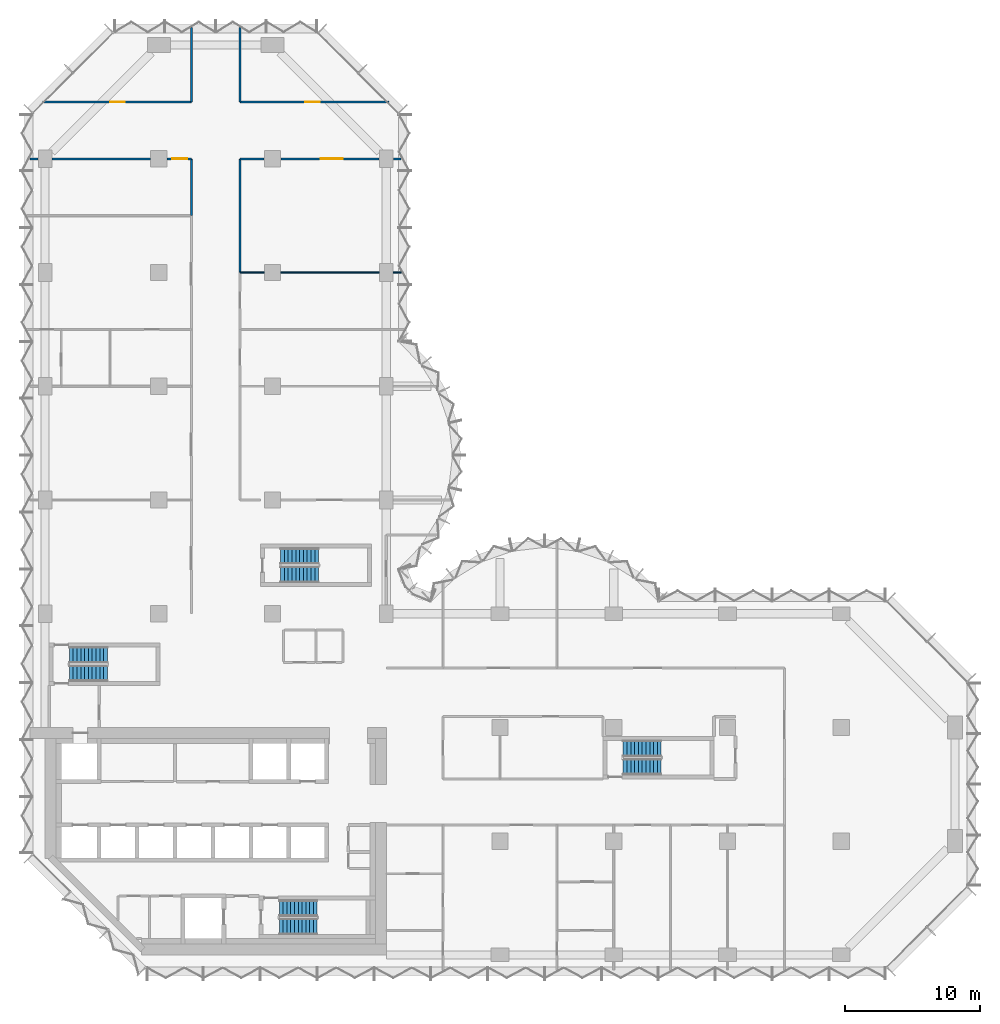
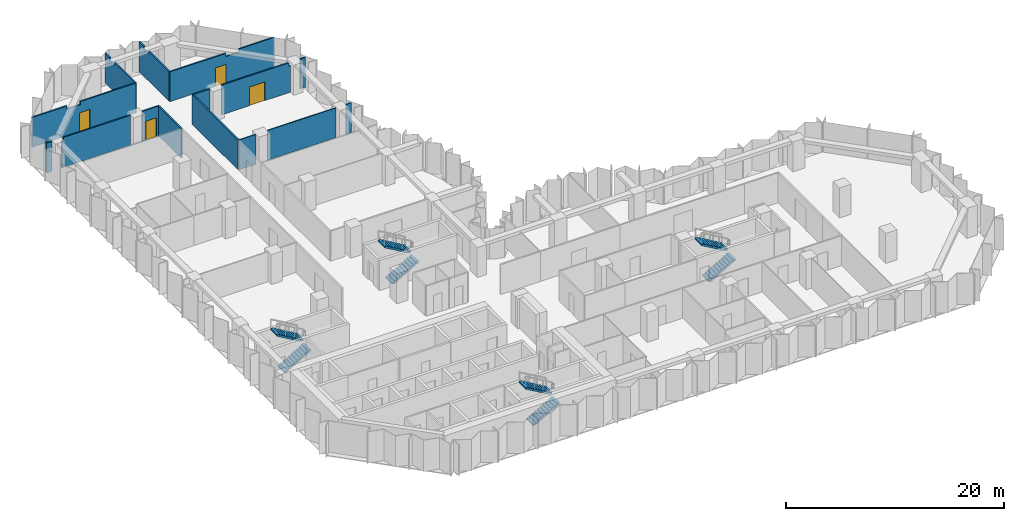
# One storey, part 11 of 13: 15 walls, 8 stair flights, 4 doors, 4 openings, 4 elements without a shape of their own.
"""IFC4 building model written with IfcOpenShell, lengths in metres."""

from ifc_helpers import new_model, si_unit, direction, frame, frame_2d, origin, place, context, subcontext, project, spatial, polyline, rectangle, outline, extrude, material, layer, layer_set, type_object, element, fill, aggregate, save


model = new_model("IFC4")

# Units and contexts
model_context = context("Model", 3, precision=1e-05, world=origin(), true_north=direction((0.0, 1.0)))
body_context = subcontext(model_context, "Body", "Model", "MODEL_VIEW")
ifc_project = project(units=[si_unit("LENGTHUNIT", "METRE"), si_unit("AREAUNIT", "SQUARE_METRE"), si_unit("VOLUMEUNIT", "CUBIC_METRE"), si_unit("PLANEANGLEUNIT", "RADIAN"), si_unit("MASSUNIT", "GRAM", prefix="KILO")], contexts=[model_context])

# Site, building, storey
site_placement = place(None, origin())
site = spatial("IfcSite", under=ifc_project, at=site_placement, CompositionType="ELEMENT")
building_placement = place(site_placement, origin())
building = spatial("IfcBuilding", under=site, at=building_placement, Name="Brevane Broadcast Tower", CompositionType="ELEMENT")
storey_placement = place(building_placement, frame((0.0, 0.0, 106.10009765625)))
storey = spatial("IfcBuildingStorey", under=building, at=storey_placement, Name="L25", CompositionType="ELEMENT", Elevation=106.10009765625)

# Walls
ifc_material_1 = material(Name="Gypsum board partition")
ifc_layer_1 = layer(ifc_material_1, 0.10009765625)
ifc_layer_set_1 = layer_set([ifc_layer_1], Name="PARTITION 100 STUD")
wall_type_1 = type_object("IfcWallType", Name="PARTITION 100 STUD", PredefinedType="PARTITIONING", material=ifc_layer_set_1)
wall_1_placement = place(storey_placement, frame((14.39990234375, 50.39990234375, 0.0), z_axis=(0.0, 0.0, 1.0), x_axis=(1.0, 0.0, 0.0)))
element("IfcWall", 1, at=wall_1_placement, inside=storey, type_object=wall_type_1, Name="Partition G07-088", PredefinedType="PARTITIONING", context=body_context, shape_type="SweptSolid", body=[
    extrude(rectangle(XDim=1.780029296875, YDim=0.10009765625, at=frame_2d((0.89013671875, 0.0))), origin(), (0.0, 0.0, 1.0), 3.329833984375),
])
wall_2_placement = place(storey_placement, frame((17.419921875, 50.39990234375, 0.0), z_axis=(0.0, 0.0, 1.0), x_axis=(1.0, 0.0, 0.0)))
element("IfcWall", 2, at=wall_2_placement, inside=storey, type_object=wall_type_1, Name="Partition G07-089", PredefinedType="PARTITIONING", context=body_context, shape_type="SweptSolid", body=[
    extrude(rectangle(XDim=7.260009765625, YDim=0.10009765625, at=frame_2d((3.6298828125, 0.0))), origin(), (0.0, 0.0, 1.0), 3.329833984375),
])
wall_3_placement = place(storey_placement, frame((25.719970703125, 50.39990234375, 0.0), z_axis=(0.0, 0.0, 1.0), x_axis=(1.0, 0.0, 0.0)))
element("IfcWall", 3, at=wall_3_placement, inside=storey, type_object=wall_type_1, Name="Partition G07-090", PredefinedType="PARTITIONING", context=body_context, shape_type="SweptSolid", body=[
    extrude(rectangle(XDim=0.580078125, YDim=0.10009765625, at=frame_2d((0.2900390625, 0.0))), origin(), (0.0, 0.0, 1.0), 3.329833984375),
])
ifc_layer_2 = layer(ifc_material_1, 0.14990234375)
ifc_layer_set_2 = layer_set([ifc_layer_2], Name="PARTITION 150 EI 60")
wall_type_2 = type_object("IfcWallType", Name="PARTITION 150 EI 60", PredefinedType="PARTITIONING", material=ifc_layer_set_2)
wall_4_placement = place(storey_placement, frame((10.800048828125, 54.60009765625, 0.0), z_axis=(0.0, 0.0, 1.0), x_axis=(0.0, 1.0, 0.0)))
element("IfcWall", 4, at=wall_4_placement, inside=storey, type_object=wall_type_2, Name="Partition G07-055", PredefinedType="PARTITIONING", context=body_context, shape_type="SweptSolid", body=[
    extrude(rectangle(XDim=4.199951171875, YDim=0.14990234375, at=frame_2d((2.10009765625, 0.0))), origin(), (0.0, 0.0, 1.0), 3.329833984375),
])
wall_5_placement = place(storey_placement, frame((10.800048828125, 63.0, 0.0), z_axis=(0.0, 0.0, 1.0), x_axis=(0.0, 1.0, 0.0)))
element("IfcWall", 5, at=wall_5_placement, inside=storey, type_object=wall_type_2, Name="Partition G07-056", PredefinedType="PARTITIONING", context=body_context, shape_type="SweptSolid", body=[
    extrude(outline(polyline([(0.0, 0.0), (5.514404296875, 0.0), (5.514404296875, 3.329833984375), (5.280029296875, 3.329833984375), (4.64990234375, 3.329833984375), (4.64794921875, 2.97998046875), (3.751953125, 2.97998046875), (3.75, 3.329833984375), (0.0, 3.329833984375), (0.0, 0.0)])), frame((0.0, 0.074951171875, 0.0), z_axis=(0.0, -1.0, 0.0), x_axis=(1.0, 0.0, 0.0)), (0.0, 0.0, 1.0), 0.14990234375),
])
wall_6_placement = place(storey_placement, frame((14.39990234375, 58.800048828125, 0.0), z_axis=(0.0, 0.0, 1.0), x_axis=(0.0, -1.0, 0.0)))
element("IfcWall", 6, at=wall_6_placement, inside=storey, type_object=wall_type_2, Name="Partition G07-060", PredefinedType="PARTITIONING", context=body_context, shape_type="SweptSolid", body=[
    extrude(rectangle(XDim=8.400146484375, YDim=0.14990234375, at=frame_2d((4.2001953125, 0.0))), origin(), (0.0, 0.0, 1.0), 3.329833984375),
])
wall_7_placement = place(storey_placement, frame((14.39990234375, 68.514404296875, 0.0), z_axis=(0.0, 0.0, 1.0), x_axis=(0.0, -1.0, 0.0)))
element("IfcWall", 7, at=wall_7_placement, inside=storey, type_object=wall_type_2, Name="Partition G07-061", PredefinedType="PARTITIONING", context=body_context, shape_type="SweptSolid", body=[
    extrude(outline(polyline([(0.0, 0.0), (5.514404296875, 0.0), (5.514404296875, 3.329833984375), (1.764404296875, 3.329833984375), (1.76220703125, 2.97998046875), (0.8662109375, 2.97998046875), (0.8642578125, 3.329833984375), (0.234375, 3.329833984375), (0.0, 3.329833984375), (0.0, 0.0)])), frame((0.0, 0.074951171875, 0.0), z_axis=(0.0, -1.0, 0.0), x_axis=(1.0, 0.0, 0.0)), (0.0, 0.0, 1.0), 0.14990234375),
])

# Wall, opening, door
wall_8_placement = place(storey_placement, frame((10.800048828125, 58.800048828125, 0.0), z_axis=(0.0, 0.0, 1.0), x_axis=(-1.0, 0.0, 0.0)))
wall_8 = element("IfcWall", 8, at=wall_8_placement, inside=storey, type_object=wall_type_2, Name="Partition G07-062", PredefinedType="PARTITIONING", context=body_context, shape_type="SweptSolid", body=[
    extrude(rectangle(XDim=1.780029296875, YDim=0.14990234375, at=frame_2d((0.89013671875, 0.0))), origin(), (0.0, 0.0, 1.0), 3.329833984375),
])
opening_1_placement = place(wall_8_placement, frame((0.300048828125, 0.0, 0.0)))
opening_1 = element("IfcOpeningElement", 9, at=opening_1_placement, cuts=wall_8, Name="Opening D14-024", PredefinedType="OPENING", context=body_context, shape_type="SweptSolid", body=[
    extrude(rectangle(XDim=1.10009765625, YDim=2.10009765625, at=frame_2d((0.550048828125, 1.050048828125))), frame((0.0, 0.0849609375, 0.0), z_axis=(0.0, -1.0, 0.0), x_axis=(1.0, 0.0, 0.0)), (0.0, 0.0, 1.0), 0.169921875),
])
ifc_material_2 = material(Name="Fire-rated timber door leaf", Category="wood")
door_type_1 = type_object("IfcDoorType", Name="DOOR SINGLE 1100 FD30S", OperationType="SINGLE_SWING_LEFT", PredefinedType="DOOR", material=ifc_material_2)
door_1_placement = place(opening_1_placement, origin())
door_1 = element("IfcDoor", 10, at=door_1_placement, inside=storey, type_object=door_type_1, Name="Door D14-024", OperationType="SINGLE_SWING_LEFT", OverallHeight=2.10009765625, OverallWidth=1.10009765625, PredefinedType="DOOR", context=body_context, shape_type="SweptSolid", body=[
    extrude(rectangle(XDim=1.10009765625, YDim=2.10009765625, at=frame_2d((0.550048828125, 1.050048828125))), frame((0.0, 0.02490234375, 0.0), z_axis=(0.0, -1.0, 0.0), x_axis=(1.0, 0.0, 0.0)), (0.0, 0.0, 1.0), 0.050048828125),
])
fill(opening_1, door_1)

# Walls
wall_9_placement = place(storey_placement, frame((7.780029296875, 58.800048828125, 0.0), z_axis=(0.0, 0.0, 1.0), x_axis=(-1.0, 0.0, 0.0)))
element("IfcWall", 11, at=wall_9_placement, inside=storey, type_object=wall_type_2, Name="Partition G07-063", PredefinedType="PARTITIONING", context=body_context, shape_type="SweptSolid", body=[
    extrude(outline(polyline([(0.0, 0.0), (7.260009765625, 0.0), (7.260009765625, 2.97998046875), (7.09130859375, 2.97998046875), (7.08935546875, 3.329833984375), (0.0, 3.329833984375), (0.0, 0.0)])), frame((0.0, 0.074951171875, 0.0), z_axis=(0.0, -1.0, 0.0), x_axis=(1.0, 0.0, 0.0)), (0.0, 0.0, 1.0), 0.14990234375),
])
wall_10_placement = place(storey_placement, frame((-0.52001953125, 58.800048828125, 0.0), z_axis=(0.0, 0.0, 1.0), x_axis=(-1.0, 0.0, 0.0)))
element("IfcWall", 12, at=wall_10_placement, inside=storey, type_object=wall_type_2, Name="Partition G07-064", PredefinedType="PARTITIONING", context=body_context, shape_type="SweptSolid", body=[
    extrude(rectangle(XDim=0.580078125, YDim=0.14990234375, at=frame_2d((0.2900390625, 0.0))), origin(), (0.0, 0.0, 1.0), 3.329833984375),
])

# Wall, opening, door
wall_11_placement = place(storey_placement, frame((-0.199951171875, 63.0, 0.0), z_axis=(0.0, 0.0, 1.0), x_axis=(1.0, 0.0, 0.0)))
wall_11 = element("IfcWall", 13, at=wall_11_placement, inside=storey, type_object=wall_type_2, Name="Partition G07-065", PredefinedType="PARTITIONING", context=body_context, shape_type="SweptSolid", body=[
    extrude(outline(polyline([(0.0, 0.0), (11.0, 0.0), (11.0, 3.329833984375), (5.090576171875, 3.329833984375), (5.088623046875, 2.97998046875), (3.71142578125, 2.97998046875), (3.709228515625, 3.329833984375), (0.0, 3.329833984375), (0.0, 0.0)])), frame((0.0, 0.074951171875, 0.0), z_axis=(0.0, -1.0, 0.0), x_axis=(1.0, 0.0, 0.0)), (0.0, 0.0, 1.0), 0.14990234375),
])
opening_2_placement = place(wall_11_placement, frame((5.0, 0.0, 0.0)))
opening_2 = element("IfcOpeningElement", 14, at=opening_2_placement, cuts=wall_11, Name="Opening D14-025", PredefinedType="OPENING", context=body_context, shape_type="SweptSolid", body=[
    extrude(rectangle(XDim=1.10009765625, YDim=2.10009765625, at=frame_2d((0.550048828125, 1.050048828125))), frame((0.0, 0.0849609375, 0.0), z_axis=(0.0, -1.0, 0.0), x_axis=(1.0, 0.0, 0.0)), (0.0, 0.0, 1.0), 0.169921875),
])
door_2_placement = place(opening_2_placement, origin())
door_2 = element("IfcDoor", 15, at=door_2_placement, inside=storey, type_object=door_type_1, Name="Door D14-025", OperationType="SINGLE_SWING_LEFT", OverallHeight=2.10009765625, OverallWidth=1.10009765625, PredefinedType="DOOR", context=body_context, shape_type="SweptSolid", body=[
    extrude(rectangle(XDim=1.10009765625, YDim=2.10009765625, at=frame_2d((0.550048828125, 1.050048828125))), frame((0.0, 0.02490234375, 0.0), z_axis=(0.0, -1.0, 0.0), x_axis=(1.0, 0.0, 0.0)), (0.0, 0.0, 1.0), 0.050048828125),
])
fill(opening_2, door_2)

# Wall
wall_12_placement = place(storey_placement, frame((26.300048828125, 58.800048828125, 0.0), z_axis=(0.0, 0.0, 1.0), x_axis=(-1.0, 0.0, 0.0)))
element("IfcWall", 16, at=wall_12_placement, inside=storey, type_object=wall_type_2, Name="Partition G07-080", PredefinedType="PARTITIONING", context=body_context, shape_type="SweptSolid", body=[
    extrude(rectangle(XDim=0.580078125, YDim=0.14990234375, at=frame_2d((0.2900390625, 0.0))), origin(), (0.0, 0.0, 1.0), 3.329833984375),
])

# Wall, opening, door
wall_13_placement = place(storey_placement, frame((24.679931640625, 58.800048828125, 0.0), z_axis=(0.0, 0.0, 1.0), x_axis=(-1.0, 0.0, 0.0)))
wall_13 = element("IfcWall", 17, at=wall_13_placement, inside=storey, type_object=wall_type_2, Name="Partition G07-081", PredefinedType="PARTITIONING", context=body_context, shape_type="SweptSolid", body=[
    extrude(outline(polyline([(0.0, 0.0), (7.260009765625, 0.0), (7.260009765625, 3.329833984375), (0.170654296875, 3.329833984375), (0.168701171875, 2.97998046875), (0.0, 2.97998046875), (0.0, 0.0)])), frame((0.0, 0.074951171875, 0.0), z_axis=(0.0, -1.0, 0.0), x_axis=(1.0, 0.0, 0.0)), (0.0, 0.0, 1.0), 0.14990234375),
])
opening_3_placement = place(wall_13_placement, frame((2.699951171875, 0.0, 0.0)))
opening_3 = element("IfcOpeningElement", 18, at=opening_3_placement, cuts=wall_13, Name="Opening D14-029", PredefinedType="OPENING", context=body_context, shape_type="SweptSolid", body=[
    extrude(rectangle(XDim=1.60009765625, YDim=2.10009765625, at=frame_2d((0.800048828125, 1.050048828125))), frame((0.0, 0.0849609375, 0.0), z_axis=(0.0, -1.0, 0.0), x_axis=(1.0, 0.0, 0.0)), (0.0, 0.0, 1.0), 0.169921875),
])
door_type_2 = type_object("IfcDoorType", Name="DOOR DOUBLE 1600 FD30S", OperationType="DOUBLE_DOOR_SINGLE_SWING", PredefinedType="DOOR", material=ifc_material_2)
door_3_placement = place(opening_3_placement, origin())
door_3 = element("IfcDoor", 19, at=door_3_placement, inside=storey, type_object=door_type_2, Name="Door D14-029", OperationType="DOUBLE_DOOR_SINGLE_SWING", OverallHeight=2.10009765625, OverallWidth=1.60009765625, PredefinedType="DOOR", context=body_context, shape_type="SweptSolid", body=[
    extrude(rectangle(XDim=1.60009765625, YDim=2.10009765625, at=frame_2d((0.800048828125, 1.050048828125))), frame((0.0, 0.02490234375, 0.0), z_axis=(0.0, -1.0, 0.0), x_axis=(1.0, 0.0, 0.0)), (0.0, 0.0, 1.0), 0.050048828125),
])
fill(opening_3, door_3)

# Wall
wall_14_placement = place(storey_placement, frame((16.179931640625, 58.800048828125, 0.0), z_axis=(0.0, 0.0, 1.0), x_axis=(-1.0, 0.0, 0.0)))
element("IfcWall", 20, at=wall_14_placement, inside=storey, type_object=wall_type_2, Name="Partition G07-082", PredefinedType="PARTITIONING", context=body_context, shape_type="SweptSolid", body=[
    extrude(rectangle(XDim=1.780029296875, YDim=0.14990234375, at=frame_2d((0.89013671875, 0.0))), origin(), (0.0, 0.0, 1.0), 3.329833984375),
])

# Wall, opening, door
wall_15_placement = place(storey_placement, frame((14.39990234375, 63.0, 0.0), z_axis=(0.0, 0.0, 1.0), x_axis=(1.0, 0.0, 0.0)))
wall_15 = element("IfcWall", 21, at=wall_15_placement, inside=storey, type_object=wall_type_2, Name="Partition G07-083", PredefinedType="PARTITIONING", context=body_context, shape_type="SweptSolid", body=[
    extrude(outline(polyline([(0.0, 0.0), (11.0, 0.0), (11.0, 3.329833984375), (7.290771484375, 3.329833984375), (7.28857421875, 2.97998046875), (5.911376953125, 2.97998046875), (5.909423828125, 3.329833984375), (0.0, 3.329833984375), (0.0, 0.0)])), frame((0.0, 0.074951171875, 0.0), z_axis=(0.0, -1.0, 0.0), x_axis=(1.0, 0.0, 0.0)), (0.0, 0.0, 1.0), 0.14990234375),
])
opening_4_placement = place(wall_15_placement, frame((4.800048828125, 0.0, 0.0)))
opening_4 = element("IfcOpeningElement", 22, at=opening_4_placement, cuts=wall_15, Name="Opening D14-030", PredefinedType="OPENING", context=body_context, shape_type="SweptSolid", body=[
    extrude(rectangle(XDim=1.10009765625, YDim=2.10009765625, at=frame_2d((0.550048828125, 1.050048828125))), frame((0.0, 0.0849609375, 0.0), z_axis=(0.0, -1.0, 0.0), x_axis=(1.0, 0.0, 0.0)), (0.0, 0.0, 1.0), 0.169921875),
])
door_4_placement = place(opening_4_placement, origin())
door_4 = element("IfcDoor", 23, at=door_4_placement, inside=storey, type_object=door_type_1, Name="Door D14-030", OperationType="SINGLE_SWING_LEFT", OverallHeight=2.10009765625, OverallWidth=1.10009765625, PredefinedType="DOOR", context=body_context, shape_type="SweptSolid", body=[
    extrude(rectangle(XDim=1.10009765625, YDim=2.10009765625, at=frame_2d((0.550048828125, 1.050048828125))), frame((0.0, 0.02490234375, 0.0), z_axis=(0.0, -1.0, 0.0), x_axis=(1.0, 0.0, 0.0)), (0.0, 0.0, 1.0), 0.050048828125),
])
fill(opening_4, door_4)

# Stair, stair flights
ifc_material_3 = material(Name="Concrete C50/60", Category="concrete")
stair_type = type_object("IfcStairType", Name="Exit stair 22 risers", PredefinedType="HALF_TURN_STAIR", material=ifc_material_3)
stair_1_placement = place(storey_placement, origin())
stair_1 = element("IfcStair", 24, at=stair_1_placement, inside=storey, type_object=stair_type, Name="L25 Exit stair ST-1", PredefinedType="HALF_TURN_STAIR")
stair_flight_type = type_object("IfcStairFlightType", Name="Exit stair flight 22 risers", PredefinedType="STRAIGHT", material=ifc_material_3)
stair_flight_1_placement = place(storey_placement, frame((1.800048828125, 20.800048828125, 0.0), z_axis=(0.0, 0.0, 1.0), x_axis=(1.0, 0.0, 0.0)))
stair_flight_1 = element("IfcStairFlight", 25, at=stair_flight_1_placement, type_object=stair_flight_type, Name="ST-1 flight 1", NumberOfRisers=11, NumberOfTreads=10, PredefinedType="STRAIGHT", RiserHeight=0.163636364, TreadLength=0.28, context=body_context, shape_type="SweptSolid", body=[
    extrude(outline(polyline([(0.0, 0.0), (0.0, 0.16357421875), (0.280029296875, 0.16357421875), (0.280029296875, 0.327392578125), (0.56005859375, 0.327392578125), (0.56005859375, 0.490966796875), (0.840087890625, 0.490966796875), (0.840087890625, 0.654541015625), (1.1201171875, 0.654541015625), (1.1201171875, 0.818115234375), (1.39990234375, 0.818115234375), (1.39990234375, 0.98193359375), (1.679931640625, 0.98193359375), (1.679931640625, 1.1455078125), (1.9599609375, 1.1455078125), (1.9599609375, 1.30908203125), (2.239990234375, 1.30908203125), (2.239990234375, 1.47265625), (2.52001953125, 1.47265625), (2.52001953125, 1.636474609375), (2.800048828125, 1.636474609375), (2.800048828125, 1.800048828125), (2.800048828125, 1.462646484375), (0.297119140625, 0.0), (0.0, 0.0)])), frame((0.0, 0.60009765625, 0.0), z_axis=(0.0, -1.0, 0.0), x_axis=(1.0, 0.0, 0.0)), (0.0, 0.0, 1.0), 1.199951171875),
])
stair_flight_2_placement = place(storey_placement, frame((4.60009765625, 22.14990234375, 1.7998046875), z_axis=(0.0, 0.0, 1.0), x_axis=(-1.0, 0.0, 0.0)))
stair_flight_2 = element("IfcStairFlight", 26, at=stair_flight_2_placement, type_object=stair_flight_type, Name="ST-1 flight 2", NumberOfRisers=11, NumberOfTreads=10, PredefinedType="STRAIGHT", RiserHeight=0.163636364, TreadLength=0.28, context=body_context, shape_type="SweptSolid", body=[
    extrude(outline(polyline([(0.0, 0.0), (0.0, 0.16357421875), (0.280029296875, 0.16357421875), (0.280029296875, 0.327392578125), (0.56005859375, 0.327392578125), (0.56005859375, 0.490966796875), (0.840087890625, 0.490966796875), (0.840087890625, 0.654541015625), (1.1201171875, 0.654541015625), (1.1201171875, 0.818115234375), (1.39990234375, 0.818115234375), (1.39990234375, 0.98193359375), (1.679931640625, 0.98193359375), (1.679931640625, 1.1455078125), (1.9599609375, 1.1455078125), (1.9599609375, 1.30908203125), (2.239990234375, 1.30908203125), (2.239990234375, 1.47265625), (2.52001953125, 1.47265625), (2.52001953125, 1.636474609375), (2.800048828125, 1.636474609375), (2.800048828125, 1.800048828125), (2.800048828125, 1.462646484375), (0.297119140625, 0.0), (0.0, 0.0)])), frame((0.0, 0.60009765625, 0.0), z_axis=(0.0, -1.0, 0.0), x_axis=(1.0, 0.0, 0.0)), (0.0, 0.0, 1.0), 1.199951171875),
])
aggregate(stair_1, [stair_flight_1, stair_flight_2])

stair_2_placement = place(storey_placement, origin())
stair_2 = element("IfcStair", 27, at=stair_2_placement, inside=storey, type_object=stair_type, Name="L25 Exit stair ST-2", PredefinedType="HALF_TURN_STAIR")
stair_flight_3_placement = place(storey_placement, frame((17.300048828125, 2.10009765625, 0.0), z_axis=(0.0, 0.0, 1.0), x_axis=(1.0, 0.0, 0.0)))
stair_flight_3 = element("IfcStairFlight", 28, at=stair_flight_3_placement, type_object=stair_flight_type, Name="ST-2 flight 1", NumberOfRisers=11, NumberOfTreads=10, PredefinedType="STRAIGHT", RiserHeight=0.163636364, TreadLength=0.28, context=body_context, shape_type="SweptSolid", body=[
    extrude(outline(polyline([(0.0, 0.0), (0.0, 0.16357421875), (0.280029296875, 0.16357421875), (0.280029296875, 0.327392578125), (0.56005859375, 0.327392578125), (0.56005859375, 0.490966796875), (0.840087890625, 0.490966796875), (0.840087890625, 0.654541015625), (1.1201171875, 0.654541015625), (1.1201171875, 0.818115234375), (1.39990234375, 0.818115234375), (1.39990234375, 0.98193359375), (1.679931640625, 0.98193359375), (1.679931640625, 1.1455078125), (1.9599609375, 1.1455078125), (1.9599609375, 1.30908203125), (2.239990234375, 1.30908203125), (2.239990234375, 1.47265625), (2.52001953125, 1.47265625), (2.52001953125, 1.636474609375), (2.800048828125, 1.636474609375), (2.800048828125, 1.800048828125), (2.800048828125, 1.462646484375), (0.297119140625, 0.0), (0.0, 0.0)])), frame((0.0, 0.60009765625, 0.0), z_axis=(0.0, -1.0, 0.0), x_axis=(1.0, 0.0, 0.0)), (0.0, 0.0, 1.0), 1.199951171875),
])
stair_flight_4_placement = place(storey_placement, frame((20.10009765625, 3.449951171875, 1.7998046875), z_axis=(0.0, 0.0, 1.0), x_axis=(-1.0, 0.0, 0.0)))
stair_flight_4 = element("IfcStairFlight", 29, at=stair_flight_4_placement, type_object=stair_flight_type, Name="ST-2 flight 2", NumberOfRisers=11, NumberOfTreads=10, PredefinedType="STRAIGHT", RiserHeight=0.163636364, TreadLength=0.28, context=body_context, shape_type="SweptSolid", body=[
    extrude(outline(polyline([(0.0, 0.0), (0.0, 0.16357421875), (0.280029296875, 0.16357421875), (0.280029296875, 0.327392578125), (0.56005859375, 0.327392578125), (0.56005859375, 0.490966796875), (0.840087890625, 0.490966796875), (0.840087890625, 0.654541015625), (1.1201171875, 0.654541015625), (1.1201171875, 0.818115234375), (1.39990234375, 0.818115234375), (1.39990234375, 0.98193359375), (1.679931640625, 0.98193359375), (1.679931640625, 1.1455078125), (1.9599609375, 1.1455078125), (1.9599609375, 1.30908203125), (2.239990234375, 1.30908203125), (2.239990234375, 1.47265625), (2.52001953125, 1.47265625), (2.52001953125, 1.636474609375), (2.800048828125, 1.636474609375), (2.800048828125, 1.800048828125), (2.800048828125, 1.462646484375), (0.297119140625, 0.0), (0.0, 0.0)])), frame((0.0, 0.60009765625, 0.0), z_axis=(0.0, -1.0, 0.0), x_axis=(1.0, 0.0, 0.0)), (0.0, 0.0, 1.0), 1.199951171875),
])
aggregate(stair_2, [stair_flight_3, stair_flight_4])

stair_3_placement = place(storey_placement, origin())
stair_3 = element("IfcStair", 30, at=stair_3_placement, inside=storey, type_object=stair_type, Name="L25 Exit stair ST-3", PredefinedType="HALF_TURN_STAIR")
stair_flight_5_placement = place(storey_placement, frame((17.39990234375, 28.10009765625, 0.0), z_axis=(0.0, 0.0, 1.0), x_axis=(1.0, 0.0, 0.0)))
stair_flight_5 = element("IfcStairFlight", 31, at=stair_flight_5_placement, type_object=stair_flight_type, Name="ST-3 flight 1", NumberOfRisers=11, NumberOfTreads=10, PredefinedType="STRAIGHT", RiserHeight=0.163636364, TreadLength=0.28, context=body_context, shape_type="SweptSolid", body=[
    extrude(outline(polyline([(0.0, 0.0), (0.0, 0.16357421875), (0.280029296875, 0.16357421875), (0.280029296875, 0.327392578125), (0.56005859375, 0.327392578125), (0.56005859375, 0.490966796875), (0.840087890625, 0.490966796875), (0.840087890625, 0.654541015625), (1.1201171875, 0.654541015625), (1.1201171875, 0.818115234375), (1.39990234375, 0.818115234375), (1.39990234375, 0.98193359375), (1.679931640625, 0.98193359375), (1.679931640625, 1.1455078125), (1.9599609375, 1.1455078125), (1.9599609375, 1.30908203125), (2.239990234375, 1.30908203125), (2.239990234375, 1.47265625), (2.52001953125, 1.47265625), (2.52001953125, 1.636474609375), (2.800048828125, 1.636474609375), (2.800048828125, 1.800048828125), (2.800048828125, 1.462646484375), (0.297119140625, 0.0), (0.0, 0.0)])), frame((0.0, 0.60009765625, 0.0), z_axis=(0.0, -1.0, 0.0), x_axis=(1.0, 0.0, 0.0)), (0.0, 0.0, 1.0), 1.199951171875),
])
stair_flight_6_placement = place(storey_placement, frame((20.199951171875, 29.449951171875, 1.7998046875), z_axis=(0.0, 0.0, 1.0), x_axis=(-1.0, 0.0, 0.0)))
stair_flight_6 = element("IfcStairFlight", 32, at=stair_flight_6_placement, type_object=stair_flight_type, Name="ST-3 flight 2", NumberOfRisers=11, NumberOfTreads=10, PredefinedType="STRAIGHT", RiserHeight=0.163636364, TreadLength=0.28, context=body_context, shape_type="SweptSolid", body=[
    extrude(outline(polyline([(0.0, 0.0), (0.0, 0.16357421875), (0.280029296875, 0.16357421875), (0.280029296875, 0.327392578125), (0.56005859375, 0.327392578125), (0.56005859375, 0.490966796875), (0.840087890625, 0.490966796875), (0.840087890625, 0.654541015625), (1.1201171875, 0.654541015625), (1.1201171875, 0.818115234375), (1.39990234375, 0.818115234375), (1.39990234375, 0.98193359375), (1.679931640625, 0.98193359375), (1.679931640625, 1.1455078125), (1.9599609375, 1.1455078125), (1.9599609375, 1.30908203125), (2.239990234375, 1.30908203125), (2.239990234375, 1.47265625), (2.52001953125, 1.47265625), (2.52001953125, 1.636474609375), (2.800048828125, 1.636474609375), (2.800048828125, 1.800048828125), (2.800048828125, 1.462646484375), (0.297119140625, 0.0), (0.0, 0.0)])), frame((0.0, 0.60009765625, 0.0), z_axis=(0.0, -1.0, 0.0), x_axis=(1.0, 0.0, 0.0)), (0.0, 0.0, 1.0), 1.199951171875),
])
aggregate(stair_3, [stair_flight_5, stair_flight_6])

stair_4_placement = place(storey_placement, origin())
stair_4 = element("IfcStair", 33, at=stair_4_placement, inside=storey, type_object=stair_type, Name="L25 Exit stair ST-4", PredefinedType="HALF_TURN_STAIR")
stair_flight_7_placement = place(storey_placement, frame((42.699951171875, 13.89990234375, 0.0), z_axis=(0.0, 0.0, 1.0), x_axis=(1.0, 0.0, 0.0)))
stair_flight_7 = element("IfcStairFlight", 34, at=stair_flight_7_placement, type_object=stair_flight_type, Name="ST-4 flight 1", NumberOfRisers=11, NumberOfTreads=10, PredefinedType="STRAIGHT", RiserHeight=0.163636364, TreadLength=0.28, context=body_context, shape_type="SweptSolid", body=[
    extrude(outline(polyline([(0.0, 0.0), (0.0, 0.16357421875), (0.280029296875, 0.16357421875), (0.280029296875, 0.327392578125), (0.56005859375, 0.327392578125), (0.56005859375, 0.490966796875), (0.840087890625, 0.490966796875), (0.840087890625, 0.654541015625), (1.1201171875, 0.654541015625), (1.1201171875, 0.818115234375), (1.39990234375, 0.818115234375), (1.39990234375, 0.98193359375), (1.679931640625, 0.98193359375), (1.679931640625, 1.1455078125), (1.9599609375, 1.1455078125), (1.9599609375, 1.30908203125), (2.239990234375, 1.30908203125), (2.239990234375, 1.47265625), (2.52001953125, 1.47265625), (2.52001953125, 1.636474609375), (2.800048828125, 1.636474609375), (2.800048828125, 1.800048828125), (2.800048828125, 1.462646484375), (0.297119140625, 0.0), (0.0, 0.0)])), frame((0.0, 0.60009765625, 0.0), z_axis=(0.0, -1.0, 0.0), x_axis=(1.0, 0.0, 0.0)), (0.0, 0.0, 1.0), 1.199951171875),
])
stair_flight_8_placement = place(storey_placement, frame((45.5, 15.25, 1.7998046875), z_axis=(0.0, 0.0, 1.0), x_axis=(-1.0, 0.0, 0.0)))
stair_flight_8 = element("IfcStairFlight", 35, at=stair_flight_8_placement, type_object=stair_flight_type, Name="ST-4 flight 2", NumberOfRisers=11, NumberOfTreads=10, PredefinedType="STRAIGHT", RiserHeight=0.163636364, TreadLength=0.28, context=body_context, shape_type="SweptSolid", body=[
    extrude(outline(polyline([(0.0, 0.0), (0.0, 0.16357421875), (0.280029296875, 0.16357421875), (0.280029296875, 0.327392578125), (0.56005859375, 0.327392578125), (0.56005859375, 0.490966796875), (0.840087890625, 0.490966796875), (0.840087890625, 0.654541015625), (1.1201171875, 0.654541015625), (1.1201171875, 0.818115234375), (1.39990234375, 0.818115234375), (1.39990234375, 0.98193359375), (1.679931640625, 0.98193359375), (1.679931640625, 1.1455078125), (1.9599609375, 1.1455078125), (1.9599609375, 1.30908203125), (2.239990234375, 1.30908203125), (2.239990234375, 1.47265625), (2.52001953125, 1.47265625), (2.52001953125, 1.636474609375), (2.800048828125, 1.636474609375), (2.800048828125, 1.800048828125), (2.800048828125, 1.462646484375), (0.297119140625, 0.0), (0.0, 0.0)])), frame((0.0, 0.60009765625, 0.0), z_axis=(0.0, -1.0, 0.0), x_axis=(1.0, 0.0, 0.0)), (0.0, 0.0, 1.0), 1.199951171875),
])
aggregate(stair_4, [stair_flight_7, stair_flight_8])

save(model, "model.ifc")
